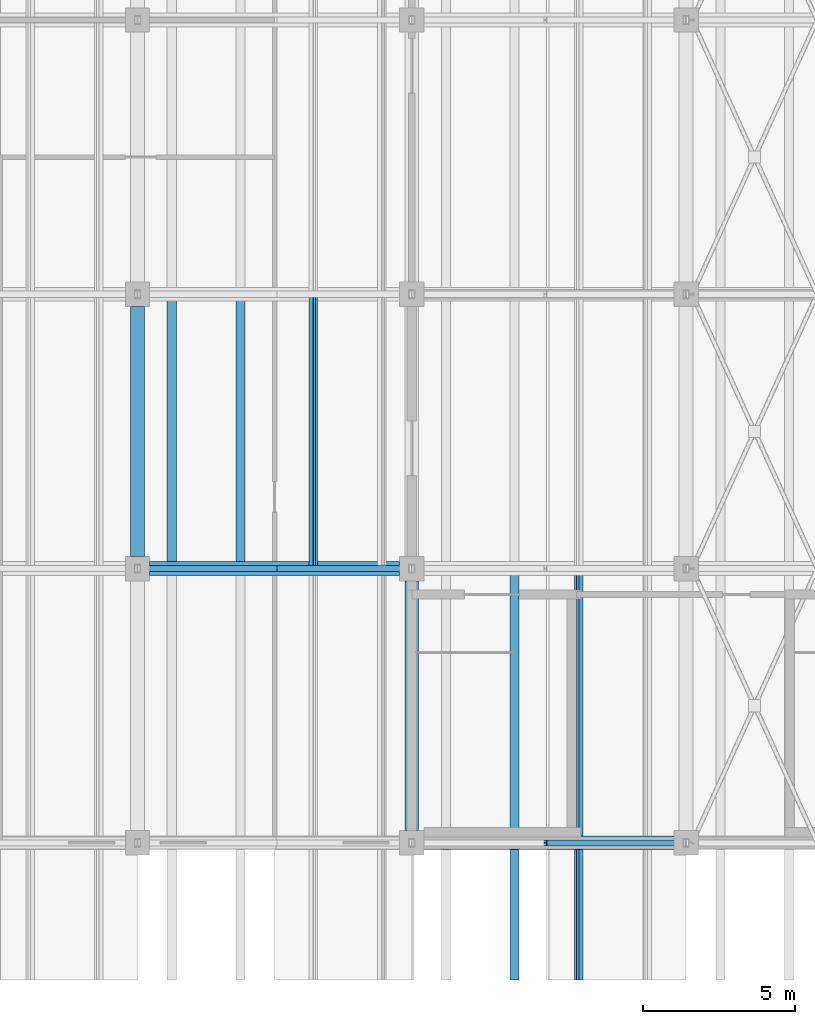
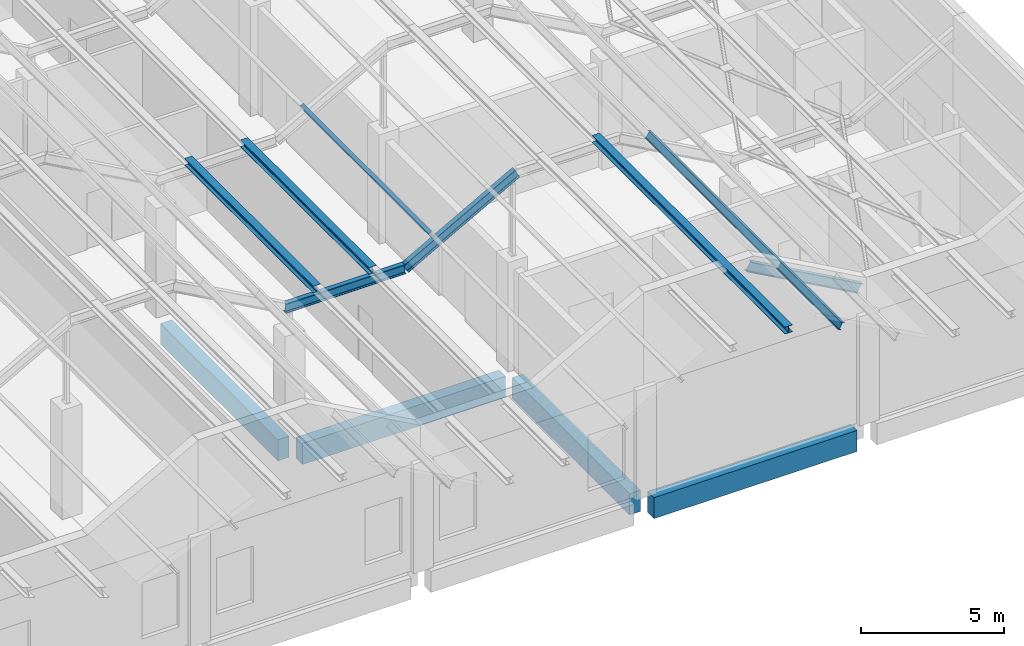
# One storey, part 22 of 437: 8 members, 4 beams.
"""IFC4 building model written with IfcOpenShell, lengths in metres."""

from ifc_helpers import new_model, si_unit, direction, frame, origin, origin_2d, place, context, subcontext, project, spatial, rectangle, i_section, extrude, material, material_profile, profile_set, type_object, element, save


model = new_model("IFC4")

# Units and contexts
model_context = context("Model", 3, precision=1e-05, world=origin(), true_north=direction((0.0, 1.0)))
body_context = subcontext(model_context, "Body", "Model", "MODEL_VIEW")
ifc_project = project(units=[si_unit("LENGTHUNIT", "METRE"), si_unit("AREAUNIT", "SQUARE_METRE"), si_unit("VOLUMEUNIT", "CUBIC_METRE"), si_unit("PLANEANGLEUNIT", "RADIAN"), si_unit("MASSUNIT", "GRAM", prefix="KILO")], contexts=[model_context])

# Site, building, storey
site_placement = place(None, origin())
site = spatial("IfcSite", under=ifc_project, at=site_placement, CompositionType="ELEMENT")
building_placement = place(site_placement, origin())
building = spatial("IfcBuilding", under=site, at=building_placement, Name="Opaline Strait Convention Centre", CompositionType="ELEMENT")
storey_placement = place(building_placement, frame((0.0, 0.0, 11.5)))
storey = spatial("IfcBuildingStorey", under=building, at=storey_placement, Name="L02", CompositionType="ELEMENT", Elevation=11.5)

# Members
ifc_material_1 = material(Name="Steel Q355B", Category="steel")
ifc_material_profile_1 = material_profile(ifc_material_1, i_section(OverallWidth=0.300048828125, OverallDepth=0.300048828125, WebThickness=0.010009765625, FlangeThickness=0.014892578125, FilletRadius=0.012939453125, at=origin_2d()), Name="HW 300x300x10x15")
ifc_profile_set_1 = profile_set([ifc_material_profile_1], Name="Steel Q355B")
member_type_1 = type_object("IfcMemberType", Name="Crest purlin HW 300x300x10x15", PredefinedType="PURLIN", material=ifc_profile_set_1)
for number, where, z_axis, x_axis, name in (
    (1, (55.125, 18.0, 5.949951171875), (0.0, 1.0, 0.0), (-1.0, 0.0, 0.0), "RU1 purlin facet 11 line 1"),
    (2, (57.375, 18.0, 5.949951171875), (0.0, 1.0, 0.0), (-1.0, 0.0, 0.0), "RU1 purlin facet 11 line 2"),
):
    element("IfcMember", number, at=place(storey_placement, frame(where, z_axis=z_axis, x_axis=x_axis)), inside=storey, type_object=member_type_1, Name=name, PredefinedType="PURLIN", context=body_context, shape_type="SweptSolid", body=[
        extrude(i_section(OverallWidth=0.300048828125, OverallDepth=0.300048828125, WebThickness=0.010009765625, FlangeThickness=0.014892578125, FilletRadius=0.012939453125, at=origin_2d()), origin(), (0.0, 0.0, 1.0), 9.0),
    ])
member_1_placement = place(storey_placement, frame((66.375, 4.5, 8.449951171875), z_axis=(0.0, 1.0, 0.0), x_axis=(-1.0, 0.0, 0.0)))
element("IfcMember", 3, at=member_1_placement, inside=storey, type_object=member_type_1, Name="RU1 purlin facet 13 line 2", PredefinedType="PURLIN", context=body_context, shape_type="SweptSolid", body=[
    extrude(i_section(OverallWidth=0.300048828125, OverallDepth=0.300048828125, WebThickness=0.010009765625, FlangeThickness=0.014892578125, FilletRadius=0.012939453125, at=origin_2d()), origin(), (0.0, 0.0, 1.0), 13.5),
])

# Beams
ifc_material_2 = material(Name="Concrete C35", Category="concrete")
ifc_material_profile_2 = material_profile(ifc_material_2, rectangle(XDim=0.449951171875, YDim=0.89990234375, at=origin_2d()), Name="RC 450x900")
ifc_profile_set_2 = profile_set([ifc_material_profile_2], Name="Concrete C35")
beam_type = type_object("IfcBeamType", Name="RC beam 450x900 C35", PredefinedType="BEAM", material=ifc_profile_set_2)
for number, where, z_axis, x_axis, name in (
    (4, (63.39990234375, 9.0, -0.72998046875), (1.0, 0.0, 0.0), (0.0, 1.0, 0.0), "XB1 L02 63/9-72/9"),
    (5, (54.39990234375, 18.0, -0.72998046875), (1.0, 0.0, 0.0), (0.0, 1.0, 0.0), "XB1 L02 54/18-63/18"),
    (6, (54.0, 18.39990234375, -0.72998046875), (0.0, 1.0, 0.0), (-1.0, 0.0, 0.0), "XB1 L02 54/18-54/27"),
    (7, (63.0, 9.39990234375, -0.72998046875), (0.0, 1.0, 0.0), (-1.0, 0.0, 0.0), "XB1 L02 63/9-63/18"),
):
    element("IfcBeam", number, at=place(storey_placement, frame(where, z_axis=z_axis, x_axis=x_axis)), inside=storey, type_object=beam_type, Name=name, PredefinedType="BEAM", context=body_context, shape_type="SweptSolid", body=[
        extrude(rectangle(XDim=0.449951171875, YDim=0.89990234375, at=origin_2d()), origin(), (0.0, 0.0, 1.0), 8.2001953125),
    ])

# Members
ifc_material_profile_3 = material_profile(ifc_material_1, i_section(OverallWidth=0.14990234375, OverallDepth=0.300048828125, WebThickness=0.006591796875, FlangeThickness=0.009033203125, FilletRadius=0.012939453125, at=origin_2d()), Name="HN 300x150x6.5x9")
ifc_profile_set_3 = profile_set([ifc_material_profile_3], Name="Steel Q355B")
member_type_2 = type_object("IfcMemberType", Name="Roof purlin HN 300x150x6.5x9", PredefinedType="PURLIN", material=ifc_profile_set_3)
member_2_placement = place(storey_placement, frame((59.770751953125, 18.0, 6.61279296875), z_axis=(0.0, 1.0, 0.0), x_axis=(-0.874157310866, 0.0, -0.485642868639)))
element("IfcMember", 8, at=member_2_placement, inside=storey, type_object=member_type_2, Name="RU1 purlin facet 12 line 1", PredefinedType="PURLIN", context=body_context, shape_type="SweptSolid", body=[
    extrude(i_section(OverallWidth=0.14990234375, OverallDepth=0.300048828125, WebThickness=0.006591796875, FlangeThickness=0.009033203125, FilletRadius=0.012939453125, at=origin_2d()), origin(), (0.0, 0.0, 1.0), 9.0),
])
member_3_placement = place(storey_placement, frame((68.479248046875, 4.5, 7.86279296875), z_axis=(0.0, 1.0, 0.0), x_axis=(-0.874157310866, 0.0, 0.485642868639)))
element("IfcMember", 9, at=member_3_placement, inside=storey, type_object=member_type_2, Name="RU1 purlin facet 14 line 1", PredefinedType="PURLIN", context=body_context, shape_type="SweptSolid", body=[
    extrude(i_section(OverallWidth=0.14990234375, OverallDepth=0.300048828125, WebThickness=0.006591796875, FlangeThickness=0.009033203125, FilletRadius=0.012939453125, at=origin_2d()), origin(), (0.0, 0.0, 1.0), 13.5),
])
ifc_material_profile_4 = material_profile(ifc_material_1, i_section(OverallWidth=0.199951171875, OverallDepth=0.39990234375, WebThickness=0.008056640625, FlangeThickness=0.012939453125, FilletRadius=0.012939453125, at=origin_2d()), Name="HN 400x200x8x13")
ifc_profile_set_4 = profile_set([ifc_material_profile_4], Name="Steel Q355B")
member_type_3 = type_object("IfcMemberType", Name="Roof rafter HN 400x200x8x13", PredefinedType="RAFTER", material=ifc_profile_set_4)
member_4_placement = place(storey_placement, frame((67.33154296875, 9.0, 8.10009765625), z_axis=(0.874157276122, 0.0, -0.485642931179), x_axis=(0.0, 1.0, 0.0)))
element("IfcMember", 10, at=member_4_placement, inside=storey, type_object=member_type_3, Name="RR1 rafter line 1 facet 15", PredefinedType="RAFTER", context=body_context, shape_type="SweptSolid", body=[
    extrude(i_section(OverallWidth=0.199951171875, OverallDepth=0.39990234375, WebThickness=0.008056640625, FlangeThickness=0.012939453125, FilletRadius=0.012939453125, at=origin_2d()), origin(), (0.0, 0.0, 1.0), 5.147705078125),
])
member_5_placement = place(storey_placement, frame((53.83154296875, 18.0, 5.60009765625), z_axis=(1.0, 0.0, 0.0), x_axis=(0.0, 1.0, 0.0)))
element("IfcMember", 11, at=member_5_placement, inside=storey, type_object=member_type_3, Name="RR1 rafter line 2 facet 12", PredefinedType="RAFTER", context=body_context, shape_type="SweptSolid", body=[
    extrude(i_section(OverallWidth=0.199951171875, OverallDepth=0.39990234375, WebThickness=0.008056640625, FlangeThickness=0.012939453125, FilletRadius=0.012939453125, at=origin_2d()), origin(), (0.0, 0.0, 1.0), 4.8369140625),
])
member_6_placement = place(storey_placement, frame((58.66845703125, 18.0, 5.60009765625), z_axis=(0.874157276122, 0.0, 0.485642931179), x_axis=(0.0, 1.0, 0.0)))
element("IfcMember", 12, at=member_6_placement, inside=storey, type_object=member_type_3, Name="RR1 rafter line 2 facet 13", PredefinedType="RAFTER", context=body_context, shape_type="SweptSolid", body=[
    extrude(i_section(OverallWidth=0.199951171875, OverallDepth=0.39990234375, WebThickness=0.008056640625, FlangeThickness=0.012939453125, FilletRadius=0.012939453125, at=origin_2d()), origin(), (0.0, 0.0, 1.0), 5.147705078125),
])

save(model, "model.ifc")
